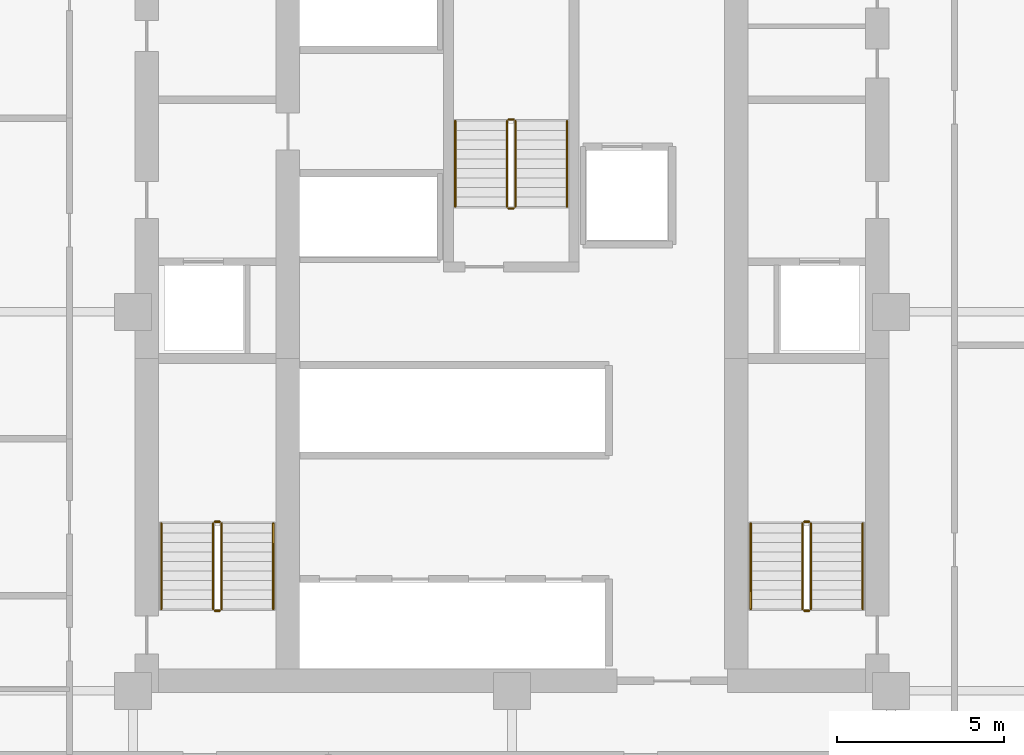
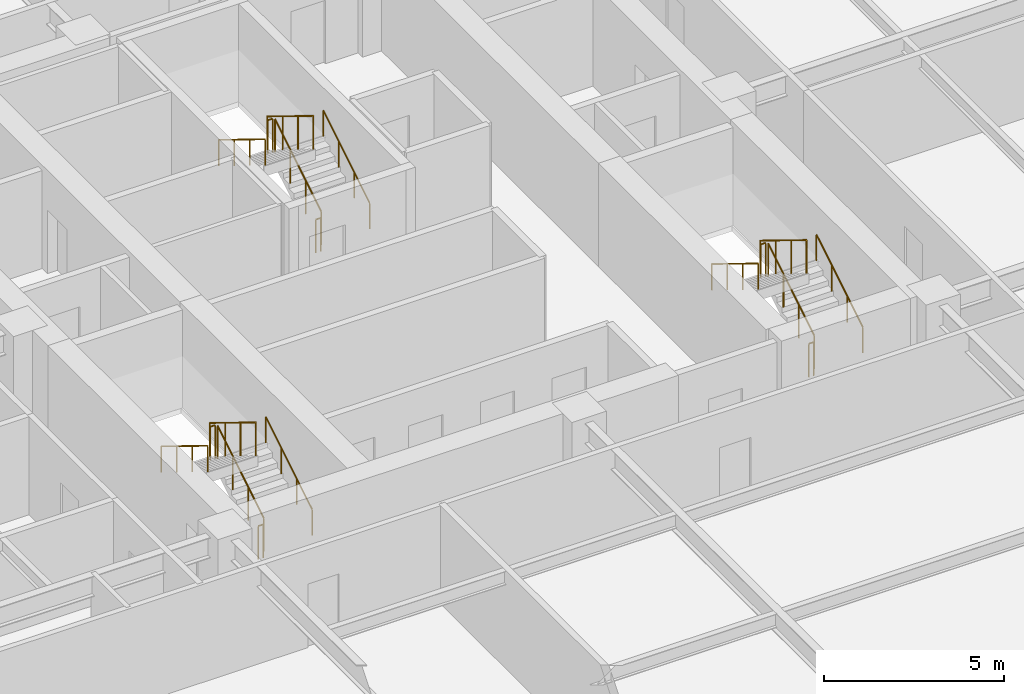
# One storey, part 9 of 9: 18 railings.
"""IFC4 building model written with IfcOpenShell, lengths in metres."""

from ifc_helpers import new_model, si_unit, direction, frame, origin, origin_2d, place, context, subcontext, project, spatial, circle, extrude, material, type_object, element, save


model = new_model("IFC4")

# Units and contexts
model_context = context("Model", 3, precision=1e-05, world=origin(), true_north=direction((0.0, 1.0)))
body_context = subcontext(model_context, "Body", "Model", "MODEL_VIEW")
ifc_project = project(units=[si_unit("LENGTHUNIT", "METRE"), si_unit("AREAUNIT", "SQUARE_METRE"), si_unit("VOLUMEUNIT", "CUBIC_METRE"), si_unit("PLANEANGLEUNIT", "RADIAN"), si_unit("MASSUNIT", "GRAM", prefix="KILO")], contexts=[model_context])

# Site, building, storey
site_placement = place(None, origin())
site = spatial("IfcSite", under=ifc_project, at=site_placement, CompositionType="ELEMENT")
building_placement = place(site_placement, origin())
building = spatial("IfcBuilding", under=site, at=building_placement, Name="Nhamokura Convention Tower", CompositionType="ELEMENT")
storey_placement = place(building_placement, frame((0.0, 0.0, 85.75)))
storey = spatial("IfcBuildingStorey", under=building, at=storey_placement, Name="L20", CompositionType="ELEMENT", Elevation=85.75)

# Railings
ifc_material_1 = material(Name="Anodised bronze stainless steel", Category="steel")
railing_type_1 = type_object("IfcRailingType", Name="StairWallHandrail_900", PredefinedType="HANDRAIL", material=ifc_material_1)
railing_1_placement = place(storey_placement, frame((24.85009765625, 23.10009765625, 0.175048828125)))
element("IfcRailing", 1, at=railing_1_placement, inside=storey, type_object=railing_type_1, Name="L20 ST-01 stair handrail 1", PredefinedType="HANDRAIL", context=body_context, shape_type="SweptSolid", body=[
    extrude(circle(Radius=0.02392578125, at=origin_2d()), frame((0.0, 0.0, 0.8759765625), z_axis=(0.0, 0.852173129349, 0.523259933127), x_axis=(-1.0, 0.0, 0.0)), (0.0, 0.0, 1.0), 3.009765625),
    extrude(circle(Radius=0.02099609375, at=origin_2d()), origin(), (0.0, 0.0, 1.0), 0.851806640625),
    extrude(circle(Radius=0.02099609375, at=origin_2d()), frame((0.0, 0.85498046875, 0.52490234375)), (0.0, 0.0, 1.0), 0.851806640625),
    extrude(circle(Radius=0.02099609375, at=origin_2d()), frame((0.0, 1.7099609375, 1.050048828125)), (0.0, 0.0, 1.0), 0.851806640625),
    extrude(circle(Radius=0.02099609375, at=origin_2d()), frame((0.0, 2.56494140625, 1.574951171875)), (0.0, 0.0, 1.0), 0.851806640625),
])
railing_2_placement = place(storey_placement, frame((21.5, 25.6650390625, 1.925048828125)))
element("IfcRailing", 2, at=railing_2_placement, inside=storey, type_object=railing_type_1, Name="L20 ST-01 stair handrail 2", PredefinedType="HANDRAIL", context=body_context, shape_type="SweptSolid", body=[
    extrude(circle(Radius=0.02392578125, at=origin_2d()), frame((0.0, 0.0, 0.8759765625), z_axis=(0.0, -0.852173129349, 0.523259933127), x_axis=(1.0, 0.0, 0.0)), (0.0, 0.0, 1.0), 3.009765625),
    extrude(circle(Radius=0.02099609375, at=origin_2d()), origin(), (0.0, 0.0, 1.0), 0.851806640625),
    extrude(circle(Radius=0.02099609375, at=origin_2d()), frame((0.0, -0.85498046875, 0.52490234375)), (0.0, 0.0, 1.0), 0.851806640625),
    extrude(circle(Radius=0.02099609375, at=origin_2d()), frame((0.0, -1.7099609375, 1.050048828125)), (0.0, 0.0, 1.0), 0.851806640625),
    extrude(circle(Radius=0.02099609375, at=origin_2d()), frame((0.0, -2.56494140625, 1.574951171875)), (0.0, 0.0, 1.0), 0.851806640625),
])
railing_3_placement = place(storey_placement, frame((42.5, 23.10009765625, 0.175048828125)))
element("IfcRailing", 3, at=railing_3_placement, inside=storey, type_object=railing_type_1, Name="L20 ST-02 stair handrail 1", PredefinedType="HANDRAIL", context=body_context, shape_type="SweptSolid", body=[
    extrude(circle(Radius=0.02392578125, at=origin_2d()), frame((0.0, 0.0, 0.8759765625), z_axis=(0.0, 0.852173129349, 0.523259933127), x_axis=(-1.0, 0.0, 0.0)), (0.0, 0.0, 1.0), 3.009765625),
    extrude(circle(Radius=0.02099609375, at=origin_2d()), origin(), (0.0, 0.0, 1.0), 0.851806640625),
    extrude(circle(Radius=0.02099609375, at=origin_2d()), frame((0.0, 0.85498046875, 0.52490234375)), (0.0, 0.0, 1.0), 0.851806640625),
    extrude(circle(Radius=0.02099609375, at=origin_2d()), frame((0.0, 1.7099609375, 1.050048828125)), (0.0, 0.0, 1.0), 0.851806640625),
    extrude(circle(Radius=0.02099609375, at=origin_2d()), frame((0.0, 2.56494140625, 1.574951171875)), (0.0, 0.0, 1.0), 0.851806640625),
])
railing_4_placement = place(storey_placement, frame((39.14990234375, 25.6650390625, 1.925048828125)))
element("IfcRailing", 4, at=railing_4_placement, inside=storey, type_object=railing_type_1, Name="L20 ST-02 stair handrail 2", PredefinedType="HANDRAIL", context=body_context, shape_type="SweptSolid", body=[
    extrude(circle(Radius=0.02392578125, at=origin_2d()), frame((0.0, 0.0, 0.8759765625), z_axis=(0.0, -0.852173129349, 0.523259933127), x_axis=(1.0, 0.0, 0.0)), (0.0, 0.0, 1.0), 3.009765625),
    extrude(circle(Radius=0.02099609375, at=origin_2d()), origin(), (0.0, 0.0, 1.0), 0.851806640625),
    extrude(circle(Radius=0.02099609375, at=origin_2d()), frame((0.0, -0.85498046875, 0.52490234375)), (0.0, 0.0, 1.0), 0.851806640625),
    extrude(circle(Radius=0.02099609375, at=origin_2d()), frame((0.0, -1.7099609375, 1.050048828125)), (0.0, 0.0, 1.0), 0.851806640625),
    extrude(circle(Radius=0.02099609375, at=origin_2d()), frame((0.0, -2.56494140625, 1.574951171875)), (0.0, 0.0, 1.0), 0.851806640625),
])
railing_5_placement = place(storey_placement, frame((33.64990234375, 35.14990234375, 0.175048828125)))
element("IfcRailing", 5, at=railing_5_placement, inside=storey, type_object=railing_type_1, Name="L20 ST-03 stair handrail 1", PredefinedType="HANDRAIL", context=body_context, shape_type="SweptSolid", body=[
    extrude(circle(Radius=0.02392578125, at=origin_2d()), frame((0.0, 0.0, 0.8759765625), z_axis=(0.0, 0.852195335862, 0.523223766217), x_axis=(-1.0, 0.0, 0.0)), (0.0, 0.0, 1.0), 3.010009765625),
    extrude(circle(Radius=0.02099609375, at=origin_2d()), origin(), (0.0, 0.0, 1.0), 0.851806640625),
    extrude(circle(Radius=0.02099609375, at=origin_2d()), frame((0.0, 0.85498046875, 0.52490234375)), (0.0, 0.0, 1.0), 0.851806640625),
    extrude(circle(Radius=0.02099609375, at=origin_2d()), frame((0.0, 1.710205078125, 1.050048828125)), (0.0, 0.0, 1.0), 0.851806640625),
    extrude(circle(Radius=0.02099609375, at=origin_2d()), frame((0.0, 2.565185546875, 1.574951171875)), (0.0, 0.0, 1.0), 0.851806640625),
])
railing_6_placement = place(storey_placement, frame((30.300048828125, 37.715087890625, 1.925048828125)))
element("IfcRailing", 6, at=railing_6_placement, inside=storey, type_object=railing_type_1, Name="L20 ST-03 stair handrail 2", PredefinedType="HANDRAIL", context=body_context, shape_type="SweptSolid", body=[
    extrude(circle(Radius=0.02392578125, at=origin_2d()), frame((0.0, 0.0, 0.8759765625), z_axis=(0.0, -0.852195335862, 0.523223766217), x_axis=(1.0, 0.0, 0.0)), (0.0, 0.0, 1.0), 3.010009765625),
    extrude(circle(Radius=0.02099609375, at=origin_2d()), origin(), (0.0, 0.0, 1.0), 0.851806640625),
    extrude(circle(Radius=0.02099609375, at=origin_2d()), frame((0.0, -0.85498046875, 0.52490234375)), (0.0, 0.0, 1.0), 0.851806640625),
    extrude(circle(Radius=0.02099609375, at=origin_2d()), frame((0.0, -1.710205078125, 1.050048828125)), (0.0, 0.0, 1.0), 0.851806640625),
    extrude(circle(Radius=0.02099609375, at=origin_2d()), frame((0.0, -2.565185546875, 1.574951171875)), (0.0, 0.0, 1.0), 0.851806640625),
])
ifc_material_2 = material(Name="Painted tubular steel", Category="steel")
railing_type_2 = type_object("IfcRailingType", Name="StairWellGuardrail_1150", PredefinedType="GUARDRAIL", material=ifc_material_2)
railing_7_placement = place(storey_placement, frame((23.300048828125, 23.10009765625, 0.175048828125)))
element("IfcRailing", 7, at=railing_7_placement, inside=storey, type_object=railing_type_2, Name="L20 ST-01 stair guard 1", PredefinedType="GUARDRAIL", context=body_context, shape_type="SweptSolid", body=[
    extrude(circle(Radius=0.02392578125, at=origin_2d()), frame((0.0, 0.0, 1.1259765625), z_axis=(0.0, 0.852173129349, 0.523259933127), x_axis=(-1.0, 0.0, 0.0)), (0.0, 0.0, 1.0), 3.009765625),
    extrude(circle(Radius=0.02099609375, at=origin_2d()), origin(), (0.0, 0.0, 1.0), 1.101806640625),
    extrude(circle(Radius=0.02099609375, at=origin_2d()), frame((0.0, 0.85498046875, 0.52490234375)), (0.0, 0.0, 1.0), 1.101806640625),
    extrude(circle(Radius=0.02099609375, at=origin_2d()), frame((0.0, 1.7099609375, 1.050048828125)), (0.0, 0.0, 1.0), 1.101806640625),
    extrude(circle(Radius=0.02099609375, at=origin_2d()), frame((0.0, 2.56494140625, 1.574951171875)), (0.0, 0.0, 1.0), 1.101806640625),
])
railing_8_placement = place(storey_placement, frame((23.25, 25.715087890625, 1.75)))
element("IfcRailing", 8, at=railing_8_placement, inside=storey, type_object=railing_type_2, Name="L20 ST-01 stair guard 2", PredefinedType="GUARDRAIL", context=body_context, shape_type="SweptSolid", body=[
    extrude(circle(Radius=0.02392578125, at=origin_2d()), frame((0.0, 0.0, 1.1259765625), z_axis=(-1.0, 0.0, 0.0), x_axis=(0.0, -1.0, 0.0)), (0.0, 0.0, 1.0), 0.14990234375),
    extrude(circle(Radius=0.02099609375, at=origin_2d()), origin(), (0.0, 0.0, 1.0), 1.101806640625),
    extrude(circle(Radius=0.02099609375, at=origin_2d()), frame((-0.14990234375, 0.0, 0.0)), (0.0, 0.0, 1.0), 1.101806640625),
])
railing_9_placement = place(storey_placement, frame((23.050048828125, 25.6650390625, 1.925048828125)))
element("IfcRailing", 9, at=railing_9_placement, inside=storey, type_object=railing_type_2, Name="L20 ST-01 stair guard 3", PredefinedType="GUARDRAIL", context=body_context, shape_type="SweptSolid", body=[
    extrude(circle(Radius=0.02392578125, at=origin_2d()), frame((0.0, 0.0, 1.1259765625), z_axis=(0.0, -0.852173129349, 0.523259933127), x_axis=(1.0, 0.0, 0.0)), (0.0, 0.0, 1.0), 3.009765625),
    extrude(circle(Radius=0.02099609375, at=origin_2d()), origin(), (0.0, 0.0, 1.0), 1.101806640625),
    extrude(circle(Radius=0.02099609375, at=origin_2d()), frame((0.0, -0.85498046875, 0.52490234375)), (0.0, 0.0, 1.0), 1.101806640625),
    extrude(circle(Radius=0.02099609375, at=origin_2d()), frame((0.0, -1.7099609375, 1.050048828125)), (0.0, 0.0, 1.0), 1.101806640625),
    extrude(circle(Radius=0.02099609375, at=origin_2d()), frame((0.0, -2.56494140625, 1.574951171875)), (0.0, 0.0, 1.0), 1.101806640625),
])
railing_10_placement = place(storey_placement, frame((23.25, 23.050048828125, 0.0)))
element("IfcRailing", 10, at=railing_10_placement, inside=storey, type_object=railing_type_2, Name="L20 ST-01 stair guard 4", PredefinedType="GUARDRAIL", context=body_context, shape_type="SweptSolid", body=[
    extrude(circle(Radius=0.02392578125, at=origin_2d()), frame((0.0, 0.0, 1.1259765625), z_axis=(-1.0, 0.0, 0.0), x_axis=(0.0, -1.0, 0.0)), (0.0, 0.0, 1.0), 0.14990234375),
    extrude(circle(Radius=0.02099609375, at=origin_2d()), origin(), (0.0, 0.0, 1.0), 1.101806640625),
    extrude(circle(Radius=0.02099609375, at=origin_2d()), frame((-0.14990234375, 0.0, 0.0)), (0.0, 0.0, 1.0), 1.101806640625),
])
railing_11_placement = place(storey_placement, frame((40.949951171875, 23.10009765625, 0.175048828125)))
element("IfcRailing", 11, at=railing_11_placement, inside=storey, type_object=railing_type_2, Name="L20 ST-02 stair guard 1", PredefinedType="GUARDRAIL", context=body_context, shape_type="SweptSolid", body=[
    extrude(circle(Radius=0.02392578125, at=origin_2d()), frame((0.0, 0.0, 1.1259765625), z_axis=(0.0, 0.852173129349, 0.523259933127), x_axis=(-1.0, 0.0, 0.0)), (0.0, 0.0, 1.0), 3.009765625),
    extrude(circle(Radius=0.02099609375, at=origin_2d()), origin(), (0.0, 0.0, 1.0), 1.101806640625),
    extrude(circle(Radius=0.02099609375, at=origin_2d()), frame((0.0, 0.85498046875, 0.52490234375)), (0.0, 0.0, 1.0), 1.101806640625),
    extrude(circle(Radius=0.02099609375, at=origin_2d()), frame((0.0, 1.7099609375, 1.050048828125)), (0.0, 0.0, 1.0), 1.101806640625),
    extrude(circle(Radius=0.02099609375, at=origin_2d()), frame((0.0, 2.56494140625, 1.574951171875)), (0.0, 0.0, 1.0), 1.101806640625),
])
railing_12_placement = place(storey_placement, frame((40.89990234375, 25.715087890625, 1.75)))
element("IfcRailing", 12, at=railing_12_placement, inside=storey, type_object=railing_type_2, Name="L20 ST-02 stair guard 2", PredefinedType="GUARDRAIL", context=body_context, shape_type="SweptSolid", body=[
    extrude(circle(Radius=0.02392578125, at=origin_2d()), frame((0.0, 0.0, 1.1259765625), z_axis=(-1.0, 0.0, 0.0), x_axis=(0.0, -1.0, 0.0)), (0.0, 0.0, 1.0), 0.14990234375),
    extrude(circle(Radius=0.02099609375, at=origin_2d()), origin(), (0.0, 0.0, 1.0), 1.101806640625),
    extrude(circle(Radius=0.02099609375, at=origin_2d()), frame((-0.14990234375, 0.0, 0.0)), (0.0, 0.0, 1.0), 1.101806640625),
])
railing_13_placement = place(storey_placement, frame((40.699951171875, 25.6650390625, 1.925048828125)))
element("IfcRailing", 13, at=railing_13_placement, inside=storey, type_object=railing_type_2, Name="L20 ST-02 stair guard 3", PredefinedType="GUARDRAIL", context=body_context, shape_type="SweptSolid", body=[
    extrude(circle(Radius=0.02392578125, at=origin_2d()), frame((0.0, 0.0, 1.1259765625), z_axis=(0.0, -0.852173129349, 0.523259933127), x_axis=(1.0, 0.0, 0.0)), (0.0, 0.0, 1.0), 3.009765625),
    extrude(circle(Radius=0.02099609375, at=origin_2d()), origin(), (0.0, 0.0, 1.0), 1.101806640625),
    extrude(circle(Radius=0.02099609375, at=origin_2d()), frame((0.0, -0.85498046875, 0.52490234375)), (0.0, 0.0, 1.0), 1.101806640625),
    extrude(circle(Radius=0.02099609375, at=origin_2d()), frame((0.0, -1.7099609375, 1.050048828125)), (0.0, 0.0, 1.0), 1.101806640625),
    extrude(circle(Radius=0.02099609375, at=origin_2d()), frame((0.0, -2.56494140625, 1.574951171875)), (0.0, 0.0, 1.0), 1.101806640625),
])
railing_14_placement = place(storey_placement, frame((40.89990234375, 23.050048828125, 0.0)))
element("IfcRailing", 14, at=railing_14_placement, inside=storey, type_object=railing_type_2, Name="L20 ST-02 stair guard 4", PredefinedType="GUARDRAIL", context=body_context, shape_type="SweptSolid", body=[
    extrude(circle(Radius=0.02392578125, at=origin_2d()), frame((0.0, 0.0, 1.1259765625), z_axis=(-1.0, 0.0, 0.0), x_axis=(0.0, -1.0, 0.0)), (0.0, 0.0, 1.0), 0.14990234375),
    extrude(circle(Radius=0.02099609375, at=origin_2d()), origin(), (0.0, 0.0, 1.0), 1.101806640625),
    extrude(circle(Radius=0.02099609375, at=origin_2d()), frame((-0.14990234375, 0.0, 0.0)), (0.0, 0.0, 1.0), 1.101806640625),
])
railing_15_placement = place(storey_placement, frame((32.10009765625, 35.14990234375, 0.175048828125)))
element("IfcRailing", 15, at=railing_15_placement, inside=storey, type_object=railing_type_2, Name="L20 ST-03 stair guard 1", PredefinedType="GUARDRAIL", context=body_context, shape_type="SweptSolid", body=[
    extrude(circle(Radius=0.02392578125, at=origin_2d()), frame((0.0, 0.0, 1.1259765625), z_axis=(0.0, 0.852195335862, 0.523223766217), x_axis=(-1.0, 0.0, 0.0)), (0.0, 0.0, 1.0), 3.010009765625),
    extrude(circle(Radius=0.02099609375, at=origin_2d()), origin(), (0.0, 0.0, 1.0), 1.101806640625),
    extrude(circle(Radius=0.02099609375, at=origin_2d()), frame((0.0, 0.85498046875, 0.52490234375)), (0.0, 0.0, 1.0), 1.101806640625),
    extrude(circle(Radius=0.02099609375, at=origin_2d()), frame((0.0, 1.710205078125, 1.050048828125)), (0.0, 0.0, 1.0), 1.101806640625),
    extrude(circle(Radius=0.02099609375, at=origin_2d()), frame((0.0, 2.565185546875, 1.574951171875)), (0.0, 0.0, 1.0), 1.101806640625),
])
railing_16_placement = place(storey_placement, frame((32.050048828125, 37.764892578125, 1.75)))
element("IfcRailing", 16, at=railing_16_placement, inside=storey, type_object=railing_type_2, Name="L20 ST-03 stair guard 2", PredefinedType="GUARDRAIL", context=body_context, shape_type="SweptSolid", body=[
    extrude(circle(Radius=0.02392578125, at=origin_2d()), frame((0.0, 0.0, 1.1259765625), z_axis=(-1.0, 0.0, 0.0), x_axis=(0.0, -1.0, 0.0)), (0.0, 0.0, 1.0), 0.150146484375),
    extrude(circle(Radius=0.02099609375, at=origin_2d()), origin(), (0.0, 0.0, 1.0), 1.101806640625),
    extrude(circle(Radius=0.02099609375, at=origin_2d()), frame((-0.150146484375, 0.0, 0.0)), (0.0, 0.0, 1.0), 1.101806640625),
])
railing_17_placement = place(storey_placement, frame((31.85009765625, 37.715087890625, 1.925048828125)))
element("IfcRailing", 17, at=railing_17_placement, inside=storey, type_object=railing_type_2, Name="L20 ST-03 stair guard 3", PredefinedType="GUARDRAIL", context=body_context, shape_type="SweptSolid", body=[
    extrude(circle(Radius=0.02392578125, at=origin_2d()), frame((0.0, 0.0, 1.1259765625), z_axis=(0.0, -0.852195335862, 0.523223766217), x_axis=(1.0, 0.0, 0.0)), (0.0, 0.0, 1.0), 3.010009765625),
    extrude(circle(Radius=0.02099609375, at=origin_2d()), origin(), (0.0, 0.0, 1.0), 1.101806640625),
    extrude(circle(Radius=0.02099609375, at=origin_2d()), frame((0.0, -0.85498046875, 0.52490234375)), (0.0, 0.0, 1.0), 1.101806640625),
    extrude(circle(Radius=0.02099609375, at=origin_2d()), frame((0.0, -1.710205078125, 1.050048828125)), (0.0, 0.0, 1.0), 1.101806640625),
    extrude(circle(Radius=0.02099609375, at=origin_2d()), frame((0.0, -2.565185546875, 1.574951171875)), (0.0, 0.0, 1.0), 1.101806640625),
])
railing_18_placement = place(storey_placement, frame((32.050048828125, 35.10009765625, 0.0)))
element("IfcRailing", 18, at=railing_18_placement, inside=storey, type_object=railing_type_2, Name="L20 ST-03 stair guard 4", PredefinedType="GUARDRAIL", context=body_context, shape_type="SweptSolid", body=[
    extrude(circle(Radius=0.02392578125, at=origin_2d()), frame((0.0, 0.0, 1.1259765625), z_axis=(-1.0, 0.0, 0.0), x_axis=(0.0, -1.0, 0.0)), (0.0, 0.0, 1.0), 0.150146484375),
    extrude(circle(Radius=0.02099609375, at=origin_2d()), origin(), (0.0, 0.0, 1.0), 1.101806640625),
    extrude(circle(Radius=0.02099609375, at=origin_2d()), frame((-0.150146484375, 0.0, 0.0)), (0.0, 0.0, 1.0), 1.101806640625),
])

save(model, "model.ifc")
